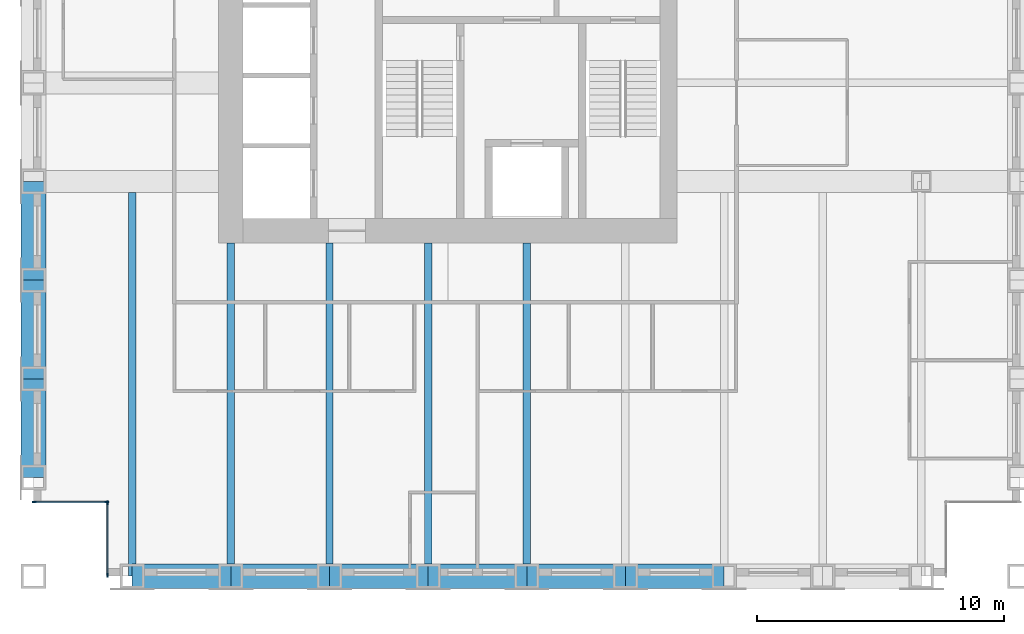
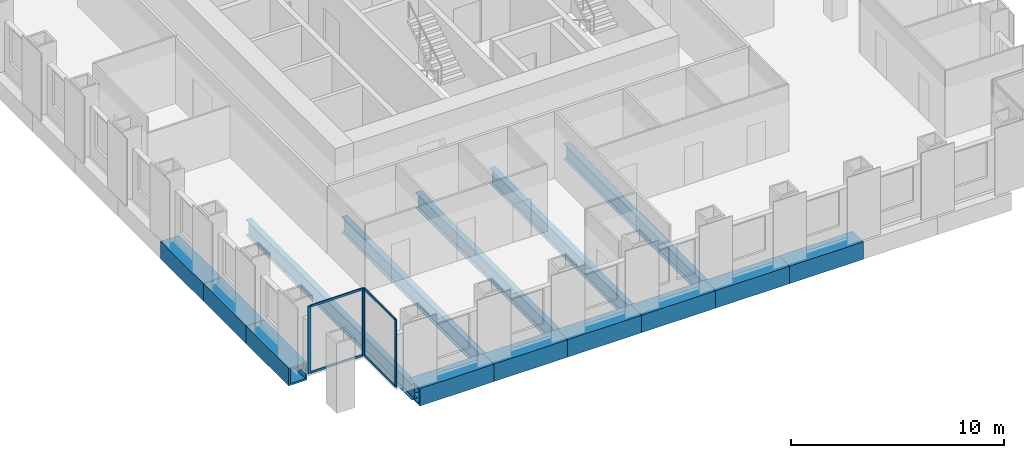
# One storey, part 2 of 13: 14 beams, 8 members, 2 elements without a shape of their own.
"""IFC4 building model written with IfcOpenShell, lengths in metres."""

from ifc_helpers import new_model, si_unit, direction, frame, origin, origin_2d, place, context, subcontext, project, spatial, rectangle, hollow_rectangle, i_section, extrude, material, material_profile, profile_set, type_object, element, aggregate, save


model = new_model("IFC4")

# Units and contexts
model_context = context("Model", 3, precision=1e-05, world=origin(), true_north=direction((0.0, 1.0)))
body_context = subcontext(model_context, "Body", "Model", "MODEL_VIEW")
ifc_project = project(units=[si_unit("LENGTHUNIT", "METRE"), si_unit("AREAUNIT", "SQUARE_METRE"), si_unit("VOLUMEUNIT", "CUBIC_METRE"), si_unit("PLANEANGLEUNIT", "RADIAN"), si_unit("MASSUNIT", "GRAM", prefix="KILO")], contexts=[model_context])

# Site, building, storey
site_placement = place(None, origin())
site = spatial("IfcSite", under=ifc_project, at=site_placement, CompositionType="ELEMENT")
building_placement = place(site_placement, origin())
building = spatial("IfcBuilding", under=site, at=building_placement, Name="Rimbunsela Tower", CompositionType="ELEMENT")
storey_placement = place(building_placement, frame((0.0, 0.0, 254.199951171875)))
storey = spatial("IfcBuildingStorey", under=building, at=storey_placement, Name="L61", CompositionType="ELEMENT", Elevation=254.199951171875)

# Beams
ifc_material_1 = material(Name="Steel BJ 55 (fy 410 MPa)", Category="steel")
ifc_material_profile_1 = material_profile(ifc_material_1, hollow_rectangle(XDim=1.0, YDim=1.0, WallThickness=0.10009765625, at=origin_2d()), Name="BOX 1000x1000x100")
ifc_profile_set_1 = profile_set([ifc_material_profile_1], Name="Steel BJ 55 (fy 410 MPa)")
beam_type_1 = type_object("IfcBeamType", Name="Beam BOX 1000x1000x100", PredefinedType="BEAM", material=ifc_profile_set_1)
for number, where, z_axis, x_axis, name in (
    (1, (10.0, 8.0, -0.64990234375), (0.0, 1.0, 0.0), (-1.0, 0.0, 0.0), "Beam B3 L61"),
    (2, (10.0, 12.0, -0.64990234375), (0.0, 1.0, 0.0), (-1.0, 0.0, 0.0), "Beam B3 L61"),
    (3, (10.0, 16.0, -0.64990234375), (0.0, 1.0, 0.0), (-1.0, 0.0, 0.0), "Beam B3 L61"),
    (4, (14.0, 4.0, -0.64990234375), (1.0, 0.0, 0.0), (0.0, 1.0, 0.0), "Beam B3 L61"),
    (5, (18.0, 4.0, -0.64990234375), (1.0, 0.0, 0.0), (0.0, 1.0, 0.0), "Beam B3 L61"),
    (6, (22.0, 4.0, -0.64990234375), (1.0, 0.0, 0.0), (0.0, 1.0, 0.0), "Beam B3 L61"),
    (7, (26.0, 4.0, -0.64990234375), (1.0, 0.0, 0.0), (0.0, 1.0, 0.0), "Beam B3 L61"),
    (8, (30.0, 4.0, -0.64990234375), (1.0, 0.0, 0.0), (0.0, 1.0, 0.0), "Beam B3 L61"),
    (9, (34.0, 4.0, -0.64990234375), (1.0, 0.0, 0.0), (0.0, 1.0, 0.0), "Beam B3 L61"),
):
    element("IfcBeam", number, at=place(storey_placement, frame(where, z_axis=z_axis, x_axis=x_axis)), inside=storey, type_object=beam_type_1, Name=name, PredefinedType="BEAM", context=body_context, shape_type="SweptSolid", body=[
        extrude(hollow_rectangle(XDim=1.0, YDim=1.0, WallThickness=0.10009765625, at=origin_2d()), origin(), (0.0, 0.0, 1.0), 4.0),
    ])
ifc_material_2 = material(Name="Steel BJ 55 (fy 410 MPa)", Category="steel")
ifc_material_profile_2 = material_profile(ifc_material_2, i_section(OverallWidth=0.300048828125, OverallDepth=0.89990234375, WebThickness=0.01611328125, FlangeThickness=0.028076171875, FilletRadius=0.028076171875, at=origin_2d()), Name="H 900x300x16x28")
ifc_profile_set_2 = profile_set([ifc_material_profile_2], Name="Steel BJ 55 (fy 410 MPa)")
beam_type_2 = type_object("IfcBeamType", Name="Beam H 900x300x16x28", PredefinedType="BEAM", material=ifc_profile_set_2)
beam_placement = place(storey_placement, frame((14.0, 4.0, -0.599853515625), z_axis=(0.0, 1.0, 0.0), x_axis=(-1.0, 0.0, 0.0)))
element("IfcBeam", 10, at=beam_placement, inside=storey, type_object=beam_type_2, Name="Beam B2 L61", PredefinedType="BEAM", context=body_context, shape_type="SweptSolid", body=[
    extrude(i_section(OverallWidth=0.300048828125, OverallDepth=0.89990234375, WebThickness=0.01611328125, FlangeThickness=0.028076171875, FilletRadius=0.028076171875, at=origin_2d()), origin(), (0.0, 0.0, 1.0), 15.550048828125),
])
for number, where, z_axis, x_axis, name in (
    (11, (18.0, 4.0, -0.599853515625), (0.0, 1.0, 0.0), (-1.0, 0.0, 0.0), "Beam B2 L61"),
    (12, (22.0, 4.0, -0.599853515625), (0.0, 1.0, 0.0), (-1.0, 0.0, 0.0), "Beam B2 L61"),
    (13, (26.0, 4.0, -0.599853515625), (0.0, 1.0, 0.0), (-1.0, 0.0, 0.0), "Beam B2 L61"),
    (14, (30.0, 4.0, -0.599853515625), (0.0, 1.0, 0.0), (-1.0, 0.0, 0.0), "Beam B2 L61"),
):
    element("IfcBeam", number, at=place(storey_placement, frame(where, z_axis=z_axis, x_axis=x_axis)), inside=storey, type_object=beam_type_2, Name=name, PredefinedType="BEAM", context=body_context, shape_type="SweptSolid", body=[
        extrude(i_section(OverallWidth=0.300048828125, OverallDepth=0.89990234375, WebThickness=0.01611328125, FlangeThickness=0.028076171875, FilletRadius=0.028076171875, at=origin_2d()), origin(), (0.0, 0.0, 1.0), 13.5),
    ])

# Curtain wall, members
ifc_material_3 = material(Name="Aluminium curtain wall", Category="aluminium")
curtain_wall_type = type_object("IfcCurtainWallType", Name="Corner glazing", PredefinedType="USERDEFINED", material=ifc_material_3)
curtain_wall_1_placement = place(storey_placement, origin())
curtain_wall_1 = element("IfcCurtainWall", 15, at=curtain_wall_1_placement, inside=storey, type_object=curtain_wall_type, Name="Corner glazing L61", ObjectType="CORNER GLAZING", PredefinedType="USERDEFINED")
ifc_material_4 = material(Name="Aluminium mullion", Category="aluminium")
ifc_material_profile_3 = material_profile(ifc_material_4, rectangle(XDim=0.06005859375, YDim=0.159912109375, at=origin_2d()), Name="Mullion 60x160")
ifc_profile_set_3 = profile_set([ifc_material_profile_3], Name="Aluminium mullion")
member_type_1 = type_object("IfcMemberType", Name="Curtain wall mullion 60x160", PredefinedType="MULLION", material=ifc_profile_set_3)
member_1_placement = place(storey_placement, frame((10.030029296875, 7.0, 0.0), z_axis=(0.0, 0.0, 1.0), x_axis=(0.0, 1.0, 0.0)))
member_1 = element("IfcMember", 16, at=member_1_placement, type_object=member_type_1, Name="CW5 mullion 1", PredefinedType="MULLION", context=body_context, shape_type="SweptSolid", body=[
    extrude(rectangle(XDim=0.06005859375, YDim=0.159912109375, at=origin_2d()), origin(), (0.0, 0.0, 1.0), 3.85009765625),
])
member_2_placement = place(storey_placement, frame((12.969970703125, 7.0, 0.0), z_axis=(0.0, 0.0, 1.0), x_axis=(0.0, 1.0, 0.0)))
member_2 = element("IfcMember", 17, at=member_2_placement, type_object=member_type_1, Name="CW5 mullion 2", PredefinedType="MULLION", context=body_context, shape_type="SweptSolid", body=[
    extrude(rectangle(XDim=0.06005859375, YDim=0.159912109375, at=origin_2d()), origin(), (0.0, 0.0, 1.0), 3.85009765625),
])

curtain_wall_2_placement = place(storey_placement, origin())
curtain_wall_2 = element("IfcCurtainWall", 18, at=curtain_wall_2_placement, inside=storey, type_object=curtain_wall_type, Name="Corner glazing L61", ObjectType="CORNER GLAZING", PredefinedType="USERDEFINED")
member_3_placement = place(storey_placement, frame((13.0, 6.969970703125, 0.0), z_axis=(0.0, 0.0, 1.0), x_axis=(1.0, 0.0, 0.0)))
member_3 = element("IfcMember", 19, at=member_3_placement, type_object=member_type_1, Name="CW5 mullion 1", PredefinedType="MULLION", context=body_context, shape_type="SweptSolid", body=[
    extrude(rectangle(XDim=0.06005859375, YDim=0.159912109375, at=origin_2d()), origin(), (0.0, 0.0, 1.0), 3.85009765625),
])
member_4_placement = place(storey_placement, frame((13.0, 4.030029296875, 0.0), z_axis=(0.0, 0.0, 1.0), x_axis=(1.0, 0.0, 0.0)))
member_4 = element("IfcMember", 20, at=member_4_placement, type_object=member_type_1, Name="CW5 mullion 2", PredefinedType="MULLION", context=body_context, shape_type="SweptSolid", body=[
    extrude(rectangle(XDim=0.06005859375, YDim=0.159912109375, at=origin_2d()), origin(), (0.0, 0.0, 1.0), 3.85009765625),
])

# Member
ifc_material_5 = material(Name="Aluminium transom", Category="aluminium")
ifc_material_profile_4 = material_profile(ifc_material_5, rectangle(XDim=0.06005859375, YDim=0.1201171875, at=origin_2d()), Name="Transom 60x120")
ifc_profile_set_4 = profile_set([ifc_material_profile_4], Name="Aluminium transom")
member_type_2 = type_object("IfcMemberType", Name="Curtain wall transom 60x120", PredefinedType="USERDEFINED", material=ifc_profile_set_4)
member_5_placement = place(storey_placement, frame((10.06005859375, 7.0, 0.030029296875), z_axis=(1.0, 0.0, 0.0), x_axis=(0.0, 1.0, 0.0)))
member_5 = element("IfcMember", 21, at=member_5_placement, type_object=member_type_2, Name="CW5 transom 1.1", ObjectType="TRANSOM", PredefinedType="USERDEFINED", context=body_context, shape_type="SweptSolid", body=[
    extrude(rectangle(XDim=0.06005859375, YDim=0.1201171875, at=origin_2d()), origin(), (0.0, 0.0, 1.0), 2.8798828125),
])

member_6_placement = place(storey_placement, frame((10.06005859375, 7.0, 3.820068359375), z_axis=(1.0, 0.0, 0.0), x_axis=(0.0, 1.0, 0.0)))
member_6 = element("IfcMember", 22, at=member_6_placement, type_object=member_type_2, Name="CW5 transom 1.2", ObjectType="TRANSOM", PredefinedType="USERDEFINED", context=body_context, shape_type="SweptSolid", body=[
    extrude(rectangle(XDim=0.06005859375, YDim=0.1201171875, at=origin_2d()), origin(), (0.0, 0.0, 1.0), 2.8798828125),
])

aggregate(curtain_wall_1, [member_1, member_2, member_5, member_6])

member_7_placement = place(storey_placement, frame((13.0, 6.93994140625, 0.030029296875), z_axis=(0.0, -1.0, 0.0), x_axis=(1.0, 0.0, 0.0)))
member_7 = element("IfcMember", 23, at=member_7_placement, type_object=member_type_2, Name="CW5 transom 1.1", ObjectType="TRANSOM", PredefinedType="USERDEFINED", context=body_context, shape_type="SweptSolid", body=[
    extrude(rectangle(XDim=0.06005859375, YDim=0.1201171875, at=origin_2d()), origin(), (0.0, 0.0, 1.0), 2.8798828125),
])

member_8_placement = place(storey_placement, frame((13.0, 6.93994140625, 3.820068359375), z_axis=(0.0, -1.0, 0.0), x_axis=(1.0, 0.0, 0.0)))
member_8 = element("IfcMember", 24, at=member_8_placement, type_object=member_type_2, Name="CW5 transom 1.2", ObjectType="TRANSOM", PredefinedType="USERDEFINED", context=body_context, shape_type="SweptSolid", body=[
    extrude(rectangle(XDim=0.06005859375, YDim=0.1201171875, at=origin_2d()), origin(), (0.0, 0.0, 1.0), 2.8798828125),
])

aggregate(curtain_wall_2, [member_3, member_4, member_7, member_8])

save(model, "model.ifc")
